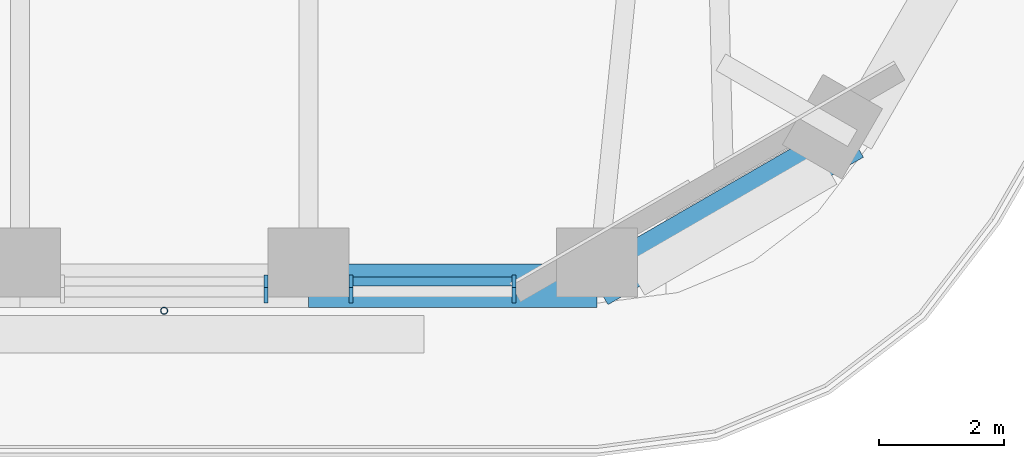
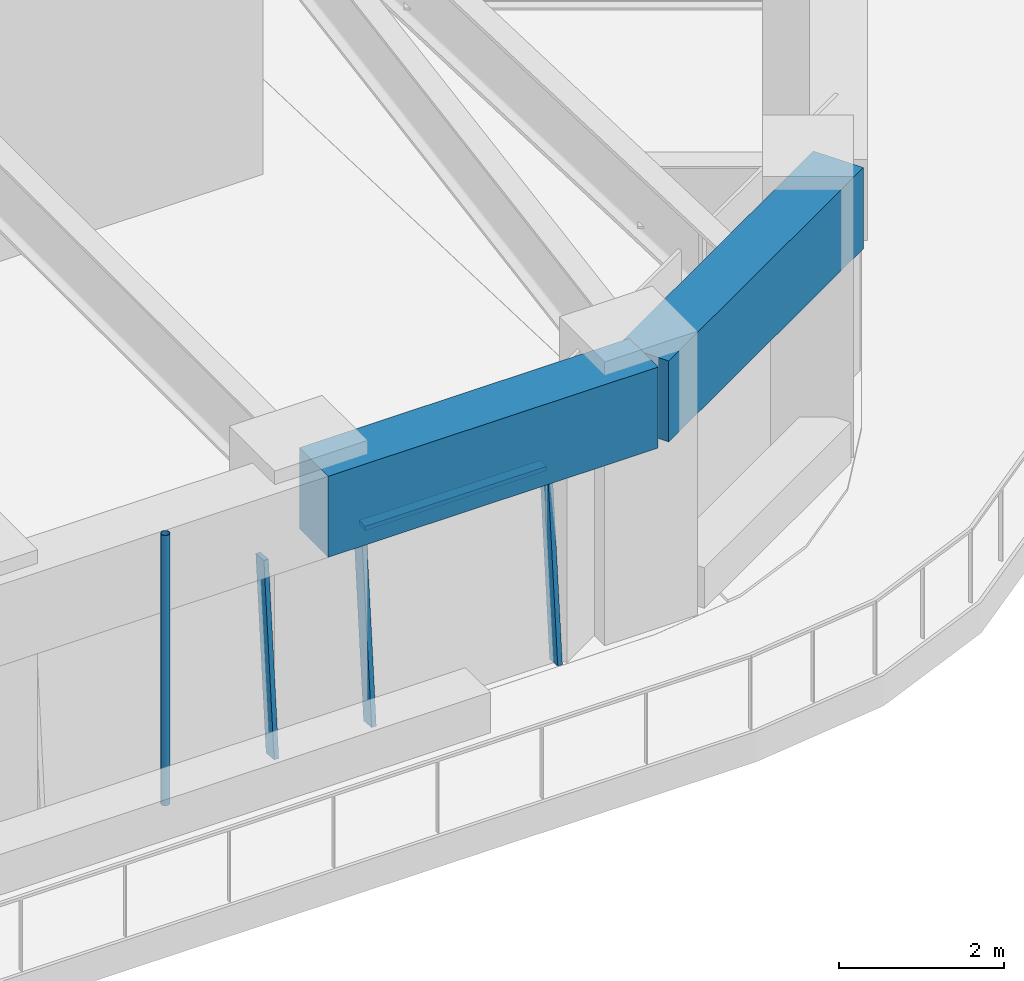
# One storey, part 4 of 20: 5 members, 2 beams, 2 elements without a shape of their own.
"""IFC4 building model written with IfcOpenShell, lengths in metres."""

from ifc_helpers import new_model, si_unit, direction, frame, origin, origin_2d, place, context, subcontext, project, spatial, rectangle, hollow_circle, extrude, material, material_profile, profile_set, type_object, element, aggregate, save


model = new_model("IFC4")

# Units and contexts
model_context = context("Model", 3, precision=1e-05, world=origin(), true_north=direction((0.0, 1.0)))
body_context = subcontext(model_context, "Body", "Model", "MODEL_VIEW")
ifc_project = project(units=[si_unit("LENGTHUNIT", "METRE"), si_unit("AREAUNIT", "SQUARE_METRE"), si_unit("VOLUMEUNIT", "CUBIC_METRE"), si_unit("PLANEANGLEUNIT", "RADIAN"), si_unit("MASSUNIT", "GRAM", prefix="KILO")], contexts=[model_context])

# Site, building, storey
site_placement = place(None, origin())
site = spatial("IfcSite", under=ifc_project, at=site_placement, CompositionType="ELEMENT")
building_placement = place(site_placement, origin())
building = spatial("IfcBuilding", under=site, at=building_placement, Name="Tarfa Lantern Tower", CompositionType="ELEMENT")
storey_placement = place(building_placement, frame((0.0, 0.0, 236.5)))
storey = spatial("IfcBuildingStorey", under=building, at=storey_placement, Name="L53", CompositionType="ELEMENT", Elevation=236.5)

# Curtain wall, member
ifc_material_1 = material(Name="Aluminium framed curtain wall", Category="aluminium")
curtain_wall_type = type_object("IfcCurtainWallType", Name="CW3 CANTED GLAZING HIGH ZONE 2800", PredefinedType="USERDEFINED", material=ifc_material_1)
curtain_wall_1_placement = place(storey_placement, origin())
curtain_wall_1 = element("IfcCurtainWall", 1, at=curtain_wall_1_placement, inside=storey, type_object=curtain_wall_type, Name="CW3 S L53", ObjectType="CURTAIN WALL", PredefinedType="USERDEFINED")
ifc_material_2 = material(Name="Aluminium mullion", Category="aluminium")
ifc_material_profile_1 = material_profile(ifc_material_2, rectangle(XDim=0.06494140625, YDim=0.199951171875, at=origin_2d()), Name="AL MULLION 65x200")
ifc_profile_set_1 = profile_set([ifc_material_profile_1], Name="Aluminium mullion")
member_type_1 = type_object("IfcMemberType", Name="CWM1 MULLION 65x200", PredefinedType="MULLION", material=ifc_profile_set_1)
member_1_placement = place(storey_placement, frame((8.55517578125, -28.89990234375, 0.0), z_axis=(0.0, 0.088930399417, 0.996037842685), x_axis=(-1.0, 0.0, 0.0)))
member_1 = element("IfcMember", 2, at=member_1_placement, type_object=member_type_1, Name="CW3 mullion 2", PredefinedType="MULLION", context=body_context, shape_type="SweptSolid", body=[
    extrude(rectangle(XDim=0.06494140625, YDim=0.199951171875, at=origin_2d()), origin(), (0.0, 0.0, 1.0), 2.811279296875),
])
aggregate(curtain_wall_1, [member_1])

# Curtain wall, members
curtain_wall_2_placement = place(storey_placement, origin())
curtain_wall_2 = element("IfcCurtainWall", 3, at=curtain_wall_2_placement, inside=storey, type_object=curtain_wall_type, Name="CW3 S L53", ObjectType="CURTAIN WALL", PredefinedType="USERDEFINED")
member_2_placement = place(storey_placement, frame((9.920166015625, -28.89990234375, 0.0), z_axis=(0.0, 0.088930399417, 0.996037842685), x_axis=(-1.0, 0.0, 0.0)))
member_2 = element("IfcMember", 4, at=member_2_placement, type_object=member_type_1, Name="CW3 mullion 1", PredefinedType="MULLION", context=body_context, shape_type="SweptSolid", body=[
    extrude(rectangle(XDim=0.06494140625, YDim=0.199951171875, at=origin_2d()), origin(), (0.0, 0.0, 1.0), 2.811279296875),
])
member_3_placement = place(storey_placement, frame((12.52392578125, -28.89990234375, 0.0), z_axis=(0.0, 0.088930399417, 0.996037842685), x_axis=(-1.0, 0.0, 0.0)))
member_3 = element("IfcMember", 5, at=member_3_placement, type_object=member_type_1, Name="CW3 mullion 2", PredefinedType="MULLION", context=body_context, shape_type="SweptSolid", body=[
    extrude(rectangle(XDim=0.06494140625, YDim=0.199951171875, at=origin_2d()), origin(), (0.0, 0.0, 1.0), 2.811279296875),
])
ifc_material_3 = material(Name="Aluminium transom", Category="aluminium")
ifc_material_profile_2 = material_profile(ifc_material_3, rectangle(XDim=0.14990234375, YDim=0.06494140625, at=origin_2d()), Name="AL TRANSOM 150x65")
ifc_profile_set_2 = profile_set([ifc_material_profile_2], Name="Aluminium transom")
member_type_2 = type_object("IfcMemberType", Name="CWT1 TRANSOM 150x65", PredefinedType="USERDEFINED", material=ifc_profile_set_2)
member_4_placement = place(storey_placement, frame((9.95263671875, -28.65283203125, 2.767578125), z_axis=(1.0, 0.0, 0.0), x_axis=(0.0, 1.0, 0.0)))
member_4 = element("IfcMember", 6, at=member_4_placement, type_object=member_type_2, Name="CW3 transom 1.2", ObjectType="TRANSOM", PredefinedType="USERDEFINED", context=body_context, shape_type="SweptSolid", body=[
    extrude(rectangle(XDim=0.14990234375, YDim=0.06494140625, at=origin_2d()), origin(), (0.0, 0.0, 1.0), 2.538818359375),
])
aggregate(curtain_wall_2, [member_2, member_3, member_4])

# Beams
ifc_material_4 = material(Name="Concrete C80/95", Category="concrete")
ifc_material_profile_3 = material_profile(ifc_material_4, rectangle(XDim=0.699951171875, YDim=1.199951171875, at=origin_2d()), Name="RC 700x1200")
ifc_profile_set_3 = profile_set([ifc_material_profile_3], Name="Concrete C80/95")
beam_type = type_object("IfcBeamType", Name="EB3 RC 700x1200", PredefinedType="SPANDREL", material=ifc_profile_set_3)
beam_1_placement = place(storey_placement, frame((9.237548828125, -28.719970703125, 3.39990234375), z_axis=(1.0, 0.0, 0.0), x_axis=(0.0, 1.0, 0.0)))
element("IfcBeam", 7, at=beam_1_placement, inside=storey, type_object=beam_type, Name="Edge beam S5", PredefinedType="SPANDREL", context=body_context, shape_type="SweptSolid", body=[
    extrude(rectangle(XDim=0.699951171875, YDim=1.199951171875, at=origin_2d()), origin(), (0.0, 0.0, 1.0), 4.618896484375),
])
beam_2_placement = place(storey_placement, frame((13.8564453125, -28.719970703125, 3.39990234375), z_axis=(0.866038294681, 0.499977671647, 0.0), x_axis=(-0.499977671647, 0.866038294681, 0.0)))
element("IfcBeam", 8, at=beam_2_placement, inside=storey, type_object=beam_type, Name="Edge beam S6", PredefinedType="SPANDREL", context=body_context, shape_type="SweptSolid", body=[
    extrude(rectangle(XDim=0.699951171875, YDim=1.199951171875, at=origin_2d()), origin(), (0.0, 0.0, 1.0), 4.719970703125),
])

# Member
ifc_material_5 = material(Name="Steel S355", Category="steel")
ifc_material_profile_4 = material_profile(ifc_material_5, hollow_circle(Radius=0.05712890625, WallThickness=0.00634765625, at=origin_2d()), Name="CHS114.3x6.3")
ifc_profile_set_4 = profile_set([ifc_material_profile_4], Name="Steel S355")
member_type_3 = type_object("IfcMemberType", Name="TR1 GREEN WALL TRELLIS CHS114.3x6.3", PredefinedType="USERDEFINED", material=ifc_profile_set_4)
member_5_placement = place(storey_placement, frame((6.92822265625, -29.1201171875, 0.0), z_axis=(0.0, 0.0, 1.0), x_axis=(1.0, 0.0, 0.0)))
element("IfcMember", 9, at=member_5_placement, inside=storey, type_object=member_type_3, Name="Trellis post S 2", ObjectType="TRELLIS", PredefinedType="USERDEFINED", context=body_context, shape_type="SweptSolid", body=[
    extrude(hollow_circle(Radius=0.05712890625, WallThickness=0.00634765625, at=origin_2d()), origin(), (0.0, 0.0, 1.0), 4.0),
])

save(model, "model.ifc")
